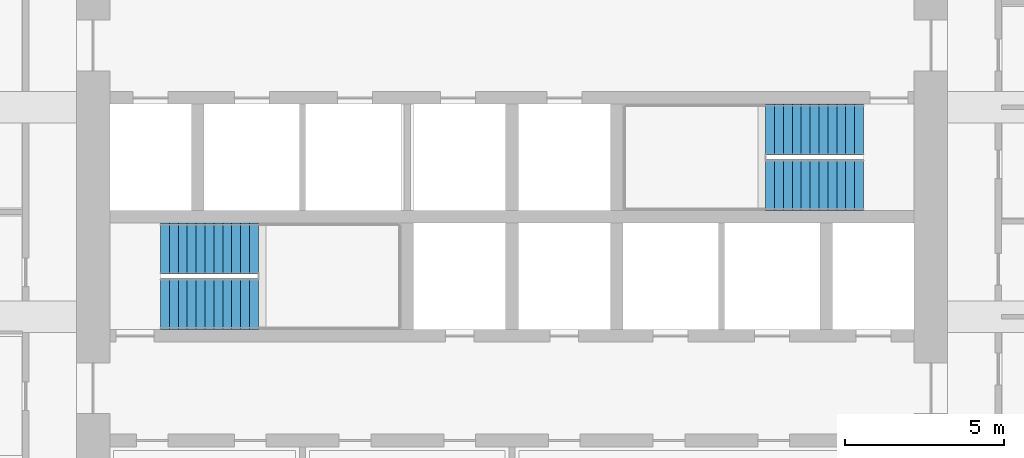
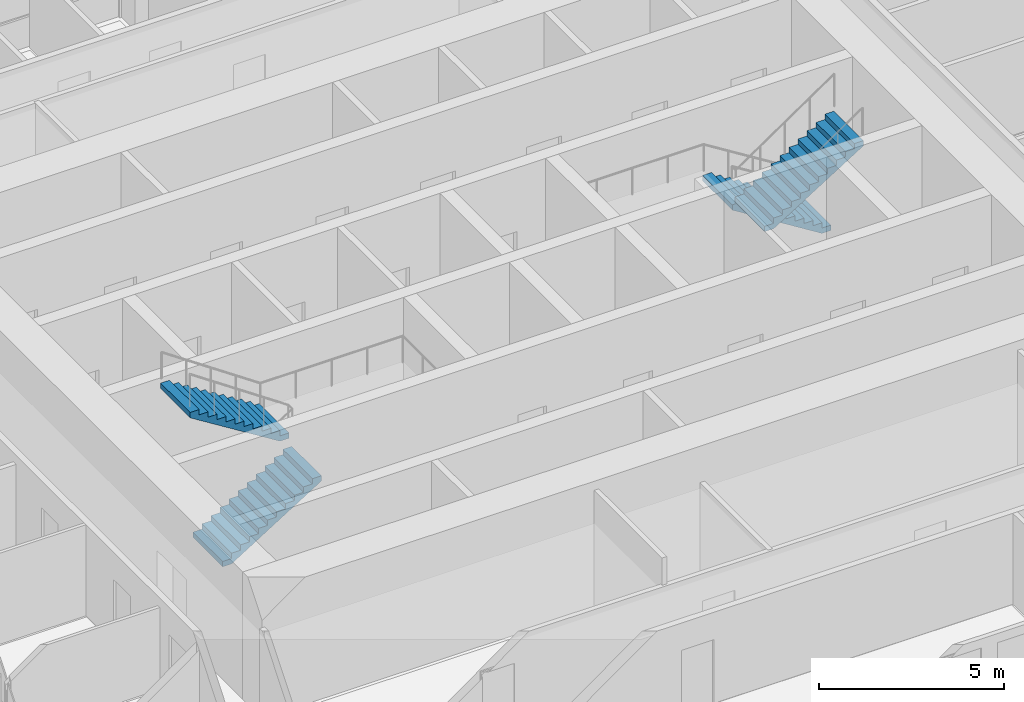
# One storey, part 17 of 21: 4 stair flights, 2 elements without a shape of their own.
"""IFC4 building model written with IfcOpenShell, lengths in metres."""

from ifc_helpers import new_model, si_unit, direction, frame, origin, place, context, subcontext, project, spatial, polyline, outline, extrude, material, type_object, element, aggregate, save


model = new_model("IFC4")

# Units and contexts
model_context = context("Model", 3, precision=1e-05, world=origin(), true_north=direction((0.0, 1.0)))
body_context = subcontext(model_context, "Body", "Model", "MODEL_VIEW")
ifc_project = project(units=[si_unit("LENGTHUNIT", "METRE"), si_unit("AREAUNIT", "SQUARE_METRE"), si_unit("VOLUMEUNIT", "CUBIC_METRE"), si_unit("PLANEANGLEUNIT", "RADIAN"), si_unit("MASSUNIT", "GRAM", prefix="KILO")], contexts=[model_context])

# Site, building, storey
site_placement = place(None, origin())
site = spatial("IfcSite", under=ifc_project, at=site_placement, CompositionType="ELEMENT")
building_placement = place(site_placement, origin())
building = spatial("IfcBuilding", under=site, at=building_placement, Name="Cobogo Forest Laboratory Tower", CompositionType="ELEMENT")
storey_placement = place(building_placement, frame((0.0, 0.0, 275.39990234375)))
storey = spatial("IfcBuildingStorey", under=building, at=storey_placement, Name="L63", CompositionType="ELEMENT", Elevation=275.39990234375)

# Stair, stair flights
ifc_material = material(Name="Precast concrete HA-40 (C40/50)", Category="concrete")
stair_type = type_object("IfcStairType", Name="ST24 exit stair 24 risers", PredefinedType="HALF_TURN_STAIR", material=ifc_material)
stair_1_placement = place(storey_placement, origin())
stair_1 = element("IfcStair", 1, at=stair_1_placement, inside=storey, type_object=stair_type, Name="Stair 1 L63 to L64", PredefinedType="HALF_TURN_STAIR")
stair_flight_type = type_object("IfcStairFlightType", Name="ST stair flight 280 going", PredefinedType="STRAIGHT", material=ifc_material)
stair_flight_1_placement = place(storey_placement, frame((15.324951171875, 20.199951171875, 0.0), z_axis=(0.0, 0.0, 1.0), x_axis=(1.0, 0.0, 0.0)))
stair_flight_1 = element("IfcStairFlight", 2, at=stair_flight_1_placement, type_object=stair_flight_type, Name="ST1 flight 1", NumberOfRisers=12, NumberOfTreads=11, PredefinedType="STRAIGHT", RiserHeight=0.175, TreadLength=0.28, context=body_context, shape_type="SweptSolid", body=[
    extrude(outline(polyline([(0.0, 0.0), (0.0, 0.175048828125), (0.280029296875, 0.175048828125), (0.280029296875, 0.35009765625), (0.56005859375, 0.35009765625), (0.56005859375, 0.52490234375), (0.840087890625, 0.52490234375), (0.840087890625, 0.699951171875), (1.1201171875, 0.699951171875), (1.1201171875, 0.875), (1.39990234375, 0.875), (1.39990234375, 1.050048828125), (1.679931640625, 1.050048828125), (1.679931640625, 1.22509765625), (1.9599609375, 1.22509765625), (1.9599609375, 1.39990234375), (2.239990234375, 1.39990234375), (2.239990234375, 1.574951171875), (2.52001953125, 1.574951171875), (2.52001953125, 1.75), (2.800048828125, 1.75), (2.800048828125, 1.925048828125), (3.080078125, 1.925048828125), (3.080078125, 2.10009765625), (3.080078125, 1.748291015625), (0.28271484375, 0.0), (0.0, 0.0)])), frame((0.0, 0.800048828125, 0.0), z_axis=(0.0, -1.0, 0.0), x_axis=(1.0, 0.0, 0.0)), (0.0, 0.0, 1.0), 1.60009765625),
])
stair_flight_2_placement = place(storey_placement, frame((18.405029296875, 21.949951171875, 2.10009765625), z_axis=(0.0, 0.0, 1.0), x_axis=(-1.0, 0.0, 0.0)))
stair_flight_2 = element("IfcStairFlight", 3, at=stair_flight_2_placement, type_object=stair_flight_type, Name="ST1 flight 2", NumberOfRisers=12, NumberOfTreads=11, PredefinedType="STRAIGHT", RiserHeight=0.175, TreadLength=0.28, context=body_context, shape_type="SweptSolid", body=[
    extrude(outline(polyline([(0.0, 0.0), (0.0, 0.175048828125), (0.280029296875, 0.175048828125), (0.280029296875, 0.35009765625), (0.56005859375, 0.35009765625), (0.56005859375, 0.52490234375), (0.840087890625, 0.52490234375), (0.840087890625, 0.699951171875), (1.1201171875, 0.699951171875), (1.1201171875, 0.875), (1.39990234375, 0.875), (1.39990234375, 1.050048828125), (1.679931640625, 1.050048828125), (1.679931640625, 1.22509765625), (1.9599609375, 1.22509765625), (1.9599609375, 1.39990234375), (2.239990234375, 1.39990234375), (2.239990234375, 1.574951171875), (2.52001953125, 1.574951171875), (2.52001953125, 1.75), (2.800048828125, 1.75), (2.800048828125, 1.925048828125), (3.080078125, 1.925048828125), (3.080078125, 2.10009765625), (3.080078125, 1.748291015625), (0.28271484375, 0.0), (0.0, 0.0)])), frame((0.0, 0.800048828125, 0.0), z_axis=(0.0, -1.0, 0.0), x_axis=(1.0, 0.0, 0.0)), (0.0, 0.0, 1.0), 1.60009765625),
])
aggregate(stair_1, [stair_flight_1, stair_flight_2])

stair_2_placement = place(storey_placement, origin())
stair_2 = element("IfcStair", 4, at=stair_2_placement, inside=storey, type_object=stair_type, Name="Stair 2 L63 to L64", PredefinedType="HALF_TURN_STAIR")
stair_flight_3_placement = place(storey_placement, frame((37.47509765625, 25.699951171875, 0.0), z_axis=(0.0, 0.0, 1.0), x_axis=(-1.0, 0.0, 0.0)))
stair_flight_3 = element("IfcStairFlight", 5, at=stair_flight_3_placement, type_object=stair_flight_type, Name="ST2 flight 1", NumberOfRisers=12, NumberOfTreads=11, PredefinedType="STRAIGHT", RiserHeight=0.175, TreadLength=0.28, context=body_context, shape_type="SweptSolid", body=[
    extrude(outline(polyline([(0.0, 0.0), (0.0, 0.175048828125), (0.280029296875, 0.175048828125), (0.280029296875, 0.35009765625), (0.56005859375, 0.35009765625), (0.56005859375, 0.52490234375), (0.840087890625, 0.52490234375), (0.840087890625, 0.699951171875), (1.1201171875, 0.699951171875), (1.1201171875, 0.875), (1.39990234375, 0.875), (1.39990234375, 1.050048828125), (1.679931640625, 1.050048828125), (1.679931640625, 1.22509765625), (1.9599609375, 1.22509765625), (1.9599609375, 1.39990234375), (2.239990234375, 1.39990234375), (2.239990234375, 1.574951171875), (2.52001953125, 1.574951171875), (2.52001953125, 1.75), (2.800048828125, 1.75), (2.800048828125, 1.925048828125), (3.080078125, 1.925048828125), (3.080078125, 2.10009765625), (3.080078125, 1.748291015625), (0.28271484375, 0.0), (0.0, 0.0)])), frame((0.0, 0.800048828125, 0.0), z_axis=(0.0, -1.0, 0.0), x_axis=(1.0, 0.0, 0.0)), (0.0, 0.0, 1.0), 1.60009765625),
])
stair_flight_4_placement = place(storey_placement, frame((34.39501953125, 23.949951171875, 2.10009765625), z_axis=(0.0, 0.0, 1.0), x_axis=(1.0, 0.0, 0.0)))
stair_flight_4 = element("IfcStairFlight", 6, at=stair_flight_4_placement, type_object=stair_flight_type, Name="ST2 flight 2", NumberOfRisers=12, NumberOfTreads=11, PredefinedType="STRAIGHT", RiserHeight=0.175, TreadLength=0.28, context=body_context, shape_type="SweptSolid", body=[
    extrude(outline(polyline([(0.0, 0.0), (0.0, 0.175048828125), (0.280029296875, 0.175048828125), (0.280029296875, 0.35009765625), (0.56005859375, 0.35009765625), (0.56005859375, 0.52490234375), (0.840087890625, 0.52490234375), (0.840087890625, 0.699951171875), (1.1201171875, 0.699951171875), (1.1201171875, 0.875), (1.39990234375, 0.875), (1.39990234375, 1.050048828125), (1.679931640625, 1.050048828125), (1.679931640625, 1.22509765625), (1.9599609375, 1.22509765625), (1.9599609375, 1.39990234375), (2.239990234375, 1.39990234375), (2.239990234375, 1.574951171875), (2.52001953125, 1.574951171875), (2.52001953125, 1.75), (2.800048828125, 1.75), (2.800048828125, 1.925048828125), (3.080078125, 1.925048828125), (3.080078125, 2.10009765625), (3.080078125, 1.748291015625), (0.28271484375, 0.0), (0.0, 0.0)])), frame((0.0, 0.800048828125, 0.0), z_axis=(0.0, -1.0, 0.0), x_axis=(1.0, 0.0, 0.0)), (0.0, 0.0, 1.0), 1.60009765625),
])
aggregate(stair_2, [stair_flight_3, stair_flight_4])

save(model, "model.ifc")
